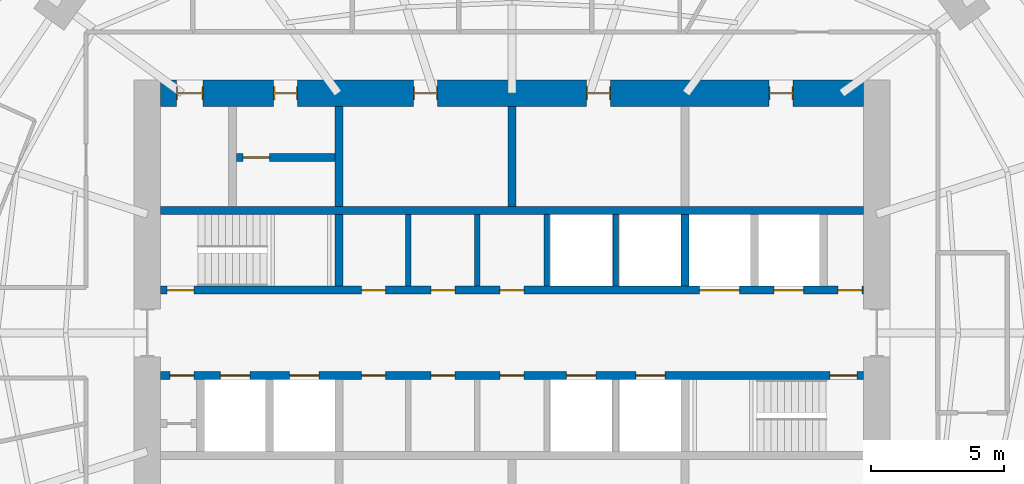
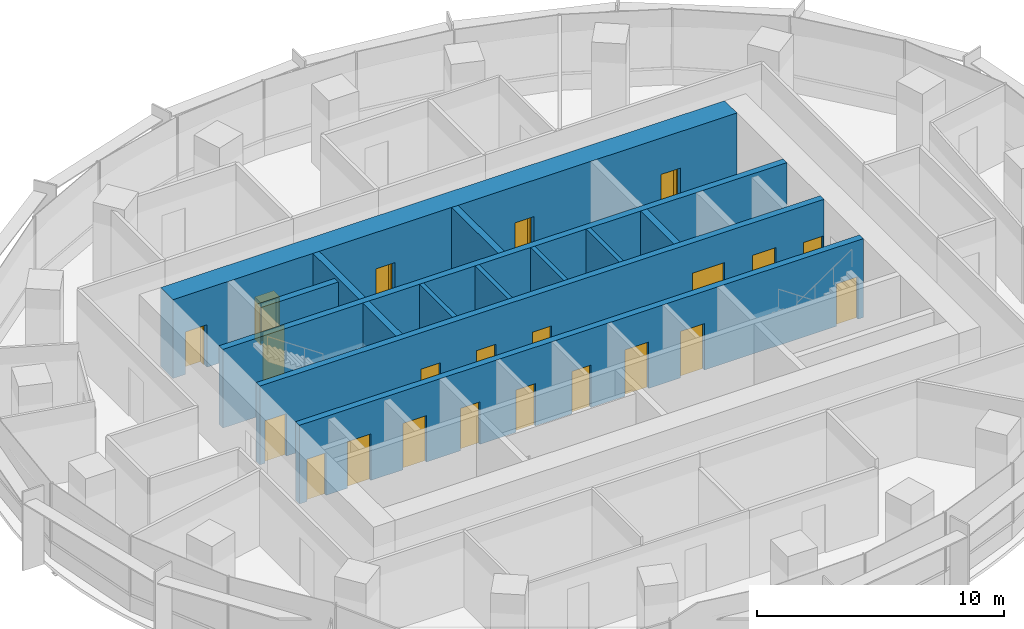
# One storey, part 11 of 14: 22 doors, 13 walls, 22 openings.
"""IFC4 building model written with IfcOpenShell, lengths in metres."""

from ifc_helpers import new_model, si_unit, direction, frame, frame_2d, origin, place, context, subcontext, project, spatial, rectangle, extrude, material, layer, layer_set, type_object, element, fill, save


model = new_model("IFC4")

# Units and contexts
model_context = context("Model", 3, precision=1e-05, world=origin(), true_north=direction((0.0, 1.0)))
body_context = subcontext(model_context, "Body", "Model", "MODEL_VIEW")
ifc_project = project(units=[si_unit("LENGTHUNIT", "METRE"), si_unit("AREAUNIT", "SQUARE_METRE"), si_unit("VOLUMEUNIT", "CUBIC_METRE"), si_unit("PLANEANGLEUNIT", "RADIAN"), si_unit("MASSUNIT", "GRAM", prefix="KILO")], contexts=[model_context])

# Site, building, storey
site_placement = place(None, origin())
site = spatial("IfcSite", under=ifc_project, at=site_placement, CompositionType="ELEMENT")
building_placement = place(site_placement, origin())
building = spatial("IfcBuilding", under=site, at=building_placement, Name="Marramba Exchange Tower", CompositionType="ELEMENT")
storey_placement = place(building_placement, frame((0.0, 0.0, 203.300048828125)))
storey = spatial("IfcBuildingStorey", under=building, at=storey_placement, Name="L49", CompositionType="ELEMENT", Elevation=203.300048828125)

# Walls
ifc_material_1 = material(Name="Concrete N50", Category="concrete")
ifc_layer_1 = layer(ifc_material_1, 0.199951171875)
ifc_layer_set_1 = layer_set([ifc_layer_1], Name="Core shaft wall 200")
wall_type_1 = type_object("IfcWallType", Name="Core shaft wall 200", PredefinedType="SHEAR", material=ifc_layer_set_1)
for number, where, z_axis, x_axis, name in (
    (1, (-3.89990234375, 1.75, 0.0), (0.0, 0.0, 1.0), (0.0, 1.0, 0.0), "Core wall SHN1 L49"),
    (2, (-1.300048828125, 1.75, 0.0), (0.0, 0.0, 1.0), (0.0, 1.0, 0.0), "Core wall SHN2 L49"),
    (3, (1.300048828125, 1.75, 0.0), (0.0, 0.0, 1.0), (0.0, 1.0, 0.0), "Core wall SHN3 L49"),
    (4, (3.89990234375, 1.75, 0.0), (0.0, 0.0, 1.0), (0.0, 1.0, 0.0), "Core wall SHN4 L49"),
):
    element("IfcWall", number, at=place(storey_placement, frame(where, z_axis=z_axis, x_axis=x_axis)), inside=storey, type_object=wall_type_1, Name=name, PredefinedType="SHEAR", context=body_context, shape_type="SweptSolid", body=[
        extrude(rectangle(XDim=2.699951171875, YDim=0.199951171875, at=frame_2d((1.35009765625, 0.0))), origin(), (0.0, 0.0, 1.0), 3.89990234375),
    ])

# Wall, openings, doors
ifc_layer_2 = layer(ifc_material_1, 1.0)
ifc_layer_set_2 = layer_set([ifc_layer_2], Name="Core wall 1000")
wall_type_2 = type_object("IfcWallType", Name="Core wall 1000", PredefinedType="SHEAR", material=ifc_layer_set_2)
wall_1_placement = place(storey_placement, frame((13.199951171875, 9.0, 0.0), z_axis=(0.0, 0.0, 1.0), x_axis=(-1.0, 0.0, 0.0)))
wall_1 = element("IfcWall", 5, at=wall_1_placement, inside=storey, type_object=wall_type_2, Name="Core wall N L49", PredefinedType="SHEAR", context=body_context, shape_type="SweptSolid", body=[
    extrude(rectangle(XDim=26.39990234375, YDim=1.0, at=frame_2d((13.199951171875, 0.0))), origin(), (0.0, 0.0, 1.0), 3.89990234375),
])
opening_1_placement = place(wall_1_placement, frame((2.64990234375, 0.0, 0.0)))
opening_1 = element("IfcOpeningElement", 6, at=opening_1_placement, cuts=wall_1, Name="Opening D5", PredefinedType="OPENING", context=body_context, shape_type="SweptSolid", body=[
    extrude(rectangle(XDim=0.89990234375, YDim=2.10009765625, at=frame_2d((0.449951171875, 1.050048828125))), frame((0.0, 0.510009765625, 0.0), z_axis=(0.0, -1.0, 0.0), x_axis=(1.0, 0.0, 0.0)), (0.0, 0.0, 1.0), 1.02001953125),
])
opening_2_placement = place(wall_1_placement, frame((9.5, 0.0, 0.0)))
opening_2 = element("IfcOpeningElement", 7, at=opening_2_placement, cuts=wall_1, Name="Opening D3", PredefinedType="OPENING", context=body_context, shape_type="SweptSolid", body=[
    extrude(rectangle(XDim=0.89990234375, YDim=2.10009765625, at=frame_2d((0.449951171875, 1.050048828125))), frame((0.0, 0.510009765625, 0.0), z_axis=(0.0, -1.0, 0.0), x_axis=(1.0, 0.0, 0.0)), (0.0, 0.0, 1.0), 1.02001953125),
])
opening_3_placement = place(wall_1_placement, frame((16.0, 0.0, 0.0)))
opening_3 = element("IfcOpeningElement", 8, at=opening_3_placement, cuts=wall_1, Name="Opening D3", PredefinedType="OPENING", context=body_context, shape_type="SweptSolid", body=[
    extrude(rectangle(XDim=0.89990234375, YDim=2.10009765625, at=frame_2d((0.449951171875, 1.050048828125))), frame((0.0, 0.510009765625, 0.0), z_axis=(0.0, -1.0, 0.0), x_axis=(1.0, 0.0, 0.0)), (0.0, 0.0, 1.0), 1.02001953125),
])
opening_4_placement = place(wall_1_placement, frame((21.25, 0.0, 0.0)))
opening_4 = element("IfcOpeningElement", 9, at=opening_4_placement, cuts=wall_1, Name="Opening D5", PredefinedType="OPENING", context=body_context, shape_type="SweptSolid", body=[
    extrude(rectangle(XDim=0.89990234375, YDim=2.10009765625, at=frame_2d((0.449951171875, 1.050048828125))), frame((0.0, 0.510009765625, 0.0), z_axis=(0.0, -1.0, 0.0), x_axis=(1.0, 0.0, 0.0)), (0.0, 0.0, 1.0), 1.02001953125),
])
opening_5_placement = place(wall_1_placement, frame((24.800048828125, 0.0, 0.0)))
opening_5 = element("IfcOpeningElement", 10, at=opening_5_placement, cuts=wall_1, Name="Opening D4", PredefinedType="OPENING", context=body_context, shape_type="SweptSolid", body=[
    extrude(rectangle(XDim=1.0, YDim=2.10009765625, at=frame_2d((0.5, 1.050048828125))), frame((0.0, 0.510009765625, 0.0), z_axis=(0.0, -1.0, 0.0), x_axis=(1.0, 0.0, 0.0)), (0.0, 0.0, 1.0), 1.02001953125),
])
ifc_material_2 = material(Name="Steel-framed door", Category="steel")
door_type_1 = type_object("IfcDoorType", Name="Accessible toilet door 1000x2100", OperationType="SINGLE_SWING_LEFT", PredefinedType="DOOR", material=ifc_material_2)
door_1_placement = place(opening_5_placement, origin())
door_1 = element("IfcDoor", 11, at=door_1_placement, inside=storey, type_object=door_type_1, Name="D4 awc L49", OperationType="SINGLE_SWING_RIGHT", OverallHeight=2.10009765625, OverallWidth=1.0, PredefinedType="DOOR", context=body_context, shape_type="SweptSolid", body=[
    extrude(rectangle(XDim=0.919921875, YDim=2.06005859375, at=frame_2d((0.5, 1.030029296875))), frame((0.0, 0.02490234375, 0.0), z_axis=(0.0, -1.0, 0.0), x_axis=(1.0, 0.0, 0.0)), (0.0, 0.0, 1.0), 0.050048828125),
    extrude(rectangle(XDim=0.04, YDim=2.10009765625, at=frame_2d((0.02001953125, 1.050048828125))), frame((0.0, 0.25, 0.0), z_axis=(0.0, -1.0, 0.0), x_axis=(1.0, 0.0, 0.0)), (0.0, 0.0, 1.0), 0.5),
    extrude(rectangle(XDim=0.04, YDim=2.10009765625, at=frame_2d((0.97998046875, 1.050048828125))), frame((0.0, 0.25, 0.0), z_axis=(0.0, -1.0, 0.0), x_axis=(1.0, 0.0, 0.0)), (0.0, 0.0, 1.0), 0.5),
    extrude(rectangle(XDim=0.919921875, YDim=0.04, at=frame_2d((0.5, 2.080078125))), frame((0.0, 0.25, 0.0), z_axis=(0.0, -1.0, 0.0), x_axis=(1.0, 0.0, 0.0)), (0.0, 0.0, 1.0), 0.5),
])
fill(opening_5, door_1)
door_type_2 = type_object("IfcDoorType", Name="Service door 900x2100", OperationType="SINGLE_SWING_LEFT", PredefinedType="DOOR", material=ifc_material_2)
door_2_placement = place(opening_1_placement, origin())
door_2 = element("IfcDoor", 12, at=door_2_placement, inside=storey, type_object=door_type_2, Name="D5 comms L49", OperationType="SINGLE_SWING_LEFT", OverallHeight=2.10009765625, OverallWidth=0.89990234375, PredefinedType="DOOR", context=body_context, shape_type="SweptSolid", body=[
    extrude(rectangle(XDim=0.81982421875, YDim=2.06005859375, at=frame_2d((0.449951171875, 1.030029296875))), frame((0.0, 0.02490234375, 0.0), z_axis=(0.0, -1.0, 0.0), x_axis=(1.0, 0.0, 0.0)), (0.0, 0.0, 1.0), 0.050048828125),
    extrude(rectangle(XDim=0.04, YDim=2.10009765625, at=frame_2d((0.02001953125, 1.050048828125))), frame((0.0, 0.25, 0.0), z_axis=(0.0, -1.0, 0.0), x_axis=(1.0, 0.0, 0.0)), (0.0, 0.0, 1.0), 0.5),
    extrude(rectangle(XDim=0.04, YDim=2.10009765625, at=frame_2d((0.8798828125, 1.050048828125))), frame((0.0, 0.25, 0.0), z_axis=(0.0, -1.0, 0.0), x_axis=(1.0, 0.0, 0.0)), (0.0, 0.0, 1.0), 0.5),
    extrude(rectangle(XDim=0.81982421875, YDim=0.04, at=frame_2d((0.449951171875, 2.080078125))), frame((0.0, 0.25, 0.0), z_axis=(0.0, -1.0, 0.0), x_axis=(1.0, 0.0, 0.0)), (0.0, 0.0, 1.0), 0.5),
])
fill(opening_1, door_2)
door_3_placement = place(opening_4_placement, origin())
door_3 = element("IfcDoor", 13, at=door_3_placement, inside=storey, type_object=door_type_2, Name="D5 cleaner L49", OperationType="SINGLE_SWING_RIGHT", OverallHeight=2.10009765625, OverallWidth=0.89990234375, PredefinedType="DOOR", context=body_context, shape_type="SweptSolid", body=[
    extrude(rectangle(XDim=0.81982421875, YDim=2.06005859375, at=frame_2d((0.449951171875, 1.030029296875))), frame((0.0, 0.02490234375, 0.0), z_axis=(0.0, -1.0, 0.0), x_axis=(1.0, 0.0, 0.0)), (0.0, 0.0, 1.0), 0.050048828125),
    extrude(rectangle(XDim=0.04, YDim=2.10009765625, at=frame_2d((0.02001953125, 1.050048828125))), frame((0.0, 0.25, 0.0), z_axis=(0.0, -1.0, 0.0), x_axis=(1.0, 0.0, 0.0)), (0.0, 0.0, 1.0), 0.5),
    extrude(rectangle(XDim=0.04, YDim=2.10009765625, at=frame_2d((0.8798828125, 1.050048828125))), frame((0.0, 0.25, 0.0), z_axis=(0.0, -1.0, 0.0), x_axis=(1.0, 0.0, 0.0)), (0.0, 0.0, 1.0), 0.5),
    extrude(rectangle(XDim=0.81982421875, YDim=0.04, at=frame_2d((0.449951171875, 2.080078125))), frame((0.0, 0.25, 0.0), z_axis=(0.0, -1.0, 0.0), x_axis=(1.0, 0.0, 0.0)), (0.0, 0.0, 1.0), 0.5),
])
fill(opening_4, door_3)
door_type_3 = type_object("IfcDoorType", Name="Toilet door 900x2100", OperationType="SINGLE_SWING_LEFT", PredefinedType="DOOR", material=ifc_material_2)
door_4_placement = place(opening_2_placement, origin())
door_4 = element("IfcDoor", 14, at=door_4_placement, inside=storey, type_object=door_type_3, Name="D3 wc-f L49", OperationType="SINGLE_SWING_RIGHT", OverallHeight=2.10009765625, OverallWidth=0.89990234375, PredefinedType="DOOR", context=body_context, shape_type="SweptSolid", body=[
    extrude(rectangle(XDim=0.81982421875, YDim=2.06005859375, at=frame_2d((0.449951171875, 1.030029296875))), frame((0.0, 0.02490234375, 0.0), z_axis=(0.0, -1.0, 0.0), x_axis=(1.0, 0.0, 0.0)), (0.0, 0.0, 1.0), 0.050048828125),
    extrude(rectangle(XDim=0.04, YDim=2.10009765625, at=frame_2d((0.02001953125, 1.050048828125))), frame((0.0, 0.25, 0.0), z_axis=(0.0, -1.0, 0.0), x_axis=(1.0, 0.0, 0.0)), (0.0, 0.0, 1.0), 0.5),
    extrude(rectangle(XDim=0.04, YDim=2.10009765625, at=frame_2d((0.8798828125, 1.050048828125))), frame((0.0, 0.25, 0.0), z_axis=(0.0, -1.0, 0.0), x_axis=(1.0, 0.0, 0.0)), (0.0, 0.0, 1.0), 0.5),
    extrude(rectangle(XDim=0.81982421875, YDim=0.04, at=frame_2d((0.449951171875, 2.080078125))), frame((0.0, 0.25, 0.0), z_axis=(0.0, -1.0, 0.0), x_axis=(1.0, 0.0, 0.0)), (0.0, 0.0, 1.0), 0.5),
])
fill(opening_2, door_4)
door_5_placement = place(opening_3_placement, origin())
door_5 = element("IfcDoor", 15, at=door_5_placement, inside=storey, type_object=door_type_3, Name="D3 wc-m L49", OperationType="SINGLE_SWING_RIGHT", OverallHeight=2.10009765625, OverallWidth=0.89990234375, PredefinedType="DOOR", context=body_context, shape_type="SweptSolid", body=[
    extrude(rectangle(XDim=0.81982421875, YDim=2.06005859375, at=frame_2d((0.449951171875, 1.030029296875))), frame((0.0, 0.02490234375, 0.0), z_axis=(0.0, -1.0, 0.0), x_axis=(1.0, 0.0, 0.0)), (0.0, 0.0, 1.0), 0.050048828125),
    extrude(rectangle(XDim=0.04, YDim=2.10009765625, at=frame_2d((0.02001953125, 1.050048828125))), frame((0.0, 0.25, 0.0), z_axis=(0.0, -1.0, 0.0), x_axis=(1.0, 0.0, 0.0)), (0.0, 0.0, 1.0), 0.5),
    extrude(rectangle(XDim=0.04, YDim=2.10009765625, at=frame_2d((0.8798828125, 1.050048828125))), frame((0.0, 0.25, 0.0), z_axis=(0.0, -1.0, 0.0), x_axis=(1.0, 0.0, 0.0)), (0.0, 0.0, 1.0), 0.5),
    extrude(rectangle(XDim=0.81982421875, YDim=0.04, at=frame_2d((0.449951171875, 2.080078125))), frame((0.0, 0.25, 0.0), z_axis=(0.0, -1.0, 0.0), x_axis=(1.0, 0.0, 0.0)), (0.0, 0.0, 1.0), 0.5),
])
fill(opening_3, door_5)

ifc_layer_3 = layer(ifc_material_1, 0.300048828125)
ifc_layer_set_3 = layer_set([ifc_layer_3], Name="Core wall 300")
wall_type_3 = type_object("IfcWallType", Name="Core wall 300", PredefinedType="SHEAR", material=ifc_layer_set_3)
wall_2_placement = place(storey_placement, frame((-13.199951171875, 1.60009765625, 0.0), z_axis=(0.0, 0.0, 1.0), x_axis=(1.0, 0.0, 0.0)))
wall_2 = element("IfcWall", 16, at=wall_2_placement, inside=storey, type_object=wall_type_3, Name="Core wall LN L49", PredefinedType="SHEAR", context=body_context, shape_type="SweptSolid", body=[
    extrude(rectangle(XDim=26.39990234375, YDim=0.300048828125, at=frame_2d((13.199951171875, 0.0))), origin(), (0.0, 0.0, 1.0), 3.89990234375),
])
opening_6_placement = place(wall_2_placement, frame((0.25, 0.0, 0.0)))
opening_6 = element("IfcOpeningElement", 17, at=opening_6_placement, cuts=wall_2, Name="Opening D2", PredefinedType="OPENING", context=body_context, shape_type="SweptSolid", body=[
    extrude(rectangle(XDim=1.0, YDim=2.10009765625, at=frame_2d((0.5, 1.050048828125))), frame((0.0, 0.159912109375, 0.0), z_axis=(0.0, -1.0, 0.0), x_axis=(1.0, 0.0, 0.0)), (0.0, 0.0, 1.0), 0.320068359375),
])
opening_7_placement = place(wall_2_placement, frame((23.050048828125, 0.0, 0.0)))
opening_7 = element("IfcOpeningElement", 18, at=opening_7_placement, cuts=wall_2, Name="Opening LD1", PredefinedType="OPENING", context=body_context, shape_type="SweptSolid", body=[
    extrude(rectangle(XDim=1.10009765625, YDim=2.300048828125, at=frame_2d((0.550048828125, 1.14990234375))), frame((0.0, 0.159912109375, 0.0), z_axis=(0.0, -1.0, 0.0), x_axis=(1.0, 0.0, 0.0)), (0.0, 0.0, 1.0), 0.320068359375),
])
opening_8_placement = place(wall_2_placement, frame((20.25, 0.0, 0.0)))
opening_8 = element("IfcOpeningElement", 19, at=opening_8_placement, cuts=wall_2, Name="Opening LD3", PredefinedType="OPENING", context=body_context, shape_type="SweptSolid", body=[
    extrude(rectangle(XDim=1.5, YDim=2.39990234375, at=frame_2d((0.75, 1.199951171875))), frame((0.0, 0.159912109375, 0.0), z_axis=(0.0, -1.0, 0.0), x_axis=(1.0, 0.0, 0.0)), (0.0, 0.0, 1.0), 0.320068359375),
])
opening_9_placement = place(wall_2_placement, frame((7.550048828125, 0.0, 0.0)))
opening_9 = element("IfcOpeningElement", 20, at=opening_9_placement, cuts=wall_2, Name="Opening D5", PredefinedType="OPENING", context=body_context, shape_type="SweptSolid", body=[
    extrude(rectangle(XDim=0.89990234375, YDim=2.10009765625, at=frame_2d((0.449951171875, 1.050048828125))), frame((0.0, 0.159912109375, 0.0), z_axis=(0.0, -1.0, 0.0), x_axis=(1.0, 0.0, 0.0)), (0.0, 0.0, 1.0), 0.320068359375),
])
opening_10_placement = place(wall_2_placement, frame((10.14990234375, 0.0, 0.0)))
opening_10 = element("IfcOpeningElement", 21, at=opening_10_placement, cuts=wall_2, Name="Opening D5", PredefinedType="OPENING", context=body_context, shape_type="SweptSolid", body=[
    extrude(rectangle(XDim=0.89990234375, YDim=2.10009765625, at=frame_2d((0.449951171875, 1.050048828125))), frame((0.0, 0.159912109375, 0.0), z_axis=(0.0, -1.0, 0.0), x_axis=(1.0, 0.0, 0.0)), (0.0, 0.0, 1.0), 0.320068359375),
])
opening_11_placement = place(wall_2_placement, frame((12.75, 0.0, 0.0)))
opening_11 = element("IfcOpeningElement", 22, at=opening_11_placement, cuts=wall_2, Name="Opening D5", PredefinedType="OPENING", context=body_context, shape_type="SweptSolid", body=[
    extrude(rectangle(XDim=0.89990234375, YDim=2.10009765625, at=frame_2d((0.449951171875, 1.050048828125))), frame((0.0, 0.159912109375, 0.0), z_axis=(0.0, -1.0, 0.0), x_axis=(1.0, 0.0, 0.0)), (0.0, 0.0, 1.0), 0.320068359375),
])
opening_12_placement = place(wall_2_placement, frame((25.449951171875, 0.0, 0.0)))
opening_12 = element("IfcOpeningElement", 23, at=opening_12_placement, cuts=wall_2, Name="Opening D5", PredefinedType="OPENING", context=body_context, shape_type="SweptSolid", body=[
    extrude(rectangle(XDim=0.89990234375, YDim=2.10009765625, at=frame_2d((0.449951171875, 1.050048828125))), frame((0.0, 0.159912109375, 0.0), z_axis=(0.0, -1.0, 0.0), x_axis=(1.0, 0.0, 0.0)), (0.0, 0.0, 1.0), 0.320068359375),
])
door_type_4 = type_object("IfcDoorType", Name="Goods lift landing door 1500x2400", OperationType="SLIDING_TO_LEFT", PredefinedType="DOOR", material=ifc_material_2)
door_6_placement = place(opening_8_placement, origin())
door_6 = element("IfcDoor", 24, at=door_6_placement, inside=storey, type_object=door_type_4, Name="GL1 landing door L49", OperationType="SLIDING_TO_LEFT", OverallHeight=2.39990234375, OverallWidth=1.5, PredefinedType="DOOR", context=body_context, shape_type="SweptSolid", body=[
    extrude(rectangle(XDim=1.5, YDim=2.39990234375, at=frame_2d((0.75, 1.199951171875))), frame((0.0, 0.02490234375, 0.0), z_axis=(0.0, -1.0, 0.0), x_axis=(1.0, 0.0, 0.0)), (0.0, 0.0, 1.0), 0.050048828125),
])
fill(opening_8, door_6)
door_type_5 = type_object("IfcDoorType", Name="Lift landing door 1100x2300", OperationType="SLIDING_TO_LEFT", PredefinedType="DOOR", material=ifc_material_2)
door_7_placement = place(opening_7_placement, origin())
door_7 = element("IfcDoor", 25, at=door_7_placement, inside=storey, type_object=door_type_5, Name="LC3 landing door L49", OperationType="SLIDING_TO_LEFT", OverallHeight=2.300048828125, OverallWidth=1.10009765625, PredefinedType="DOOR", context=body_context, shape_type="SweptSolid", body=[
    extrude(rectangle(XDim=1.10009765625, YDim=2.300048828125, at=frame_2d((0.550048828125, 1.14990234375))), frame((0.0, 0.02490234375, 0.0), z_axis=(0.0, -1.0, 0.0), x_axis=(1.0, 0.0, 0.0)), (0.0, 0.0, 1.0), 0.050048828125),
])
fill(opening_7, door_7)
door_8_placement = place(opening_9_placement, origin())
door_8 = element("IfcDoor", 26, at=door_8_placement, inside=storey, type_object=door_type_2, Name="D5 stationery store L49", OperationType="SINGLE_SWING_RIGHT", OverallHeight=2.10009765625, OverallWidth=0.89990234375, PredefinedType="DOOR", context=body_context, shape_type="SweptSolid", body=[
    extrude(rectangle(XDim=0.89990234375, YDim=2.10009765625, at=frame_2d((0.449951171875, 1.050048828125))), frame((0.0, 0.02490234375, 0.0), z_axis=(0.0, -1.0, 0.0), x_axis=(1.0, 0.0, 0.0)), (0.0, 0.0, 1.0), 0.050048828125),
])
fill(opening_9, door_8)
door_9_placement = place(opening_10_placement, origin())
door_9 = element("IfcDoor", 27, at=door_9_placement, inside=storey, type_object=door_type_2, Name="D5 switch room L49", OperationType="SINGLE_SWING_RIGHT", OverallHeight=2.10009765625, OverallWidth=0.89990234375, PredefinedType="DOOR", context=body_context, shape_type="SweptSolid", body=[
    extrude(rectangle(XDim=0.89990234375, YDim=2.10009765625, at=frame_2d((0.449951171875, 1.050048828125))), frame((0.0, 0.02490234375, 0.0), z_axis=(0.0, -1.0, 0.0), x_axis=(1.0, 0.0, 0.0)), (0.0, 0.0, 1.0), 0.050048828125),
])
fill(opening_10, door_9)
door_10_placement = place(opening_11_placement, origin())
door_10 = element("IfcDoor", 28, at=door_10_placement, inside=storey, type_object=door_type_2, Name="D5 cleaner store L49", OperationType="SINGLE_SWING_RIGHT", OverallHeight=2.10009765625, OverallWidth=0.89990234375, PredefinedType="DOOR", context=body_context, shape_type="SweptSolid", body=[
    extrude(rectangle(XDim=0.89990234375, YDim=2.10009765625, at=frame_2d((0.449951171875, 1.050048828125))), frame((0.0, 0.02490234375, 0.0), z_axis=(0.0, -1.0, 0.0), x_axis=(1.0, 0.0, 0.0)), (0.0, 0.0, 1.0), 0.050048828125),
])
fill(opening_11, door_10)
door_11_placement = place(opening_12_placement, origin())
door_11 = element("IfcDoor", 29, at=door_11_placement, inside=storey, type_object=door_type_2, Name="D5 riser L49", OperationType="SINGLE_SWING_RIGHT", OverallHeight=2.10009765625, OverallWidth=0.89990234375, PredefinedType="DOOR", context=body_context, shape_type="SweptSolid", body=[
    extrude(rectangle(XDim=0.89990234375, YDim=2.10009765625, at=frame_2d((0.449951171875, 1.050048828125))), frame((0.0, 0.02490234375, 0.0), z_axis=(0.0, -1.0, 0.0), x_axis=(1.0, 0.0, 0.0)), (0.0, 0.0, 1.0), 0.050048828125),
])
fill(opening_12, door_11)
door_type_6 = type_object("IfcDoorType", Name="Stair door 1000x2100", OperationType="SINGLE_SWING_LEFT", PredefinedType="DOOR", material=ifc_material_2)
door_12_placement = place(opening_6_placement, origin())
door_12 = element("IfcDoor", 30, at=door_12_placement, inside=storey, type_object=door_type_6, Name="D2 stair ST1 L49", OperationType="SINGLE_SWING_LEFT", OverallHeight=2.10009765625, OverallWidth=1.0, PredefinedType="DOOR", context=body_context, shape_type="SweptSolid", body=[
    extrude(rectangle(XDim=1.0, YDim=2.10009765625, at=frame_2d((0.5, 1.050048828125))), frame((0.0, 0.02490234375, 0.0), z_axis=(0.0, -1.0, 0.0), x_axis=(1.0, 0.0, 0.0)), (0.0, 0.0, 1.0), 0.050048828125),
])
fill(opening_6, door_12)

wall_3_placement = place(storey_placement, frame((-13.199951171875, -1.60009765625, 0.0), z_axis=(0.0, 0.0, 1.0), x_axis=(1.0, 0.0, 0.0)))
wall_3 = element("IfcWall", 31, at=wall_3_placement, inside=storey, type_object=wall_type_3, Name="Core wall LS L49", PredefinedType="SHEAR", context=body_context, shape_type="SweptSolid", body=[
    extrude(rectangle(XDim=26.39990234375, YDim=0.300048828125, at=frame_2d((13.199951171875, 0.0))), origin(), (0.0, 0.0, 1.0), 3.89990234375),
])
opening_13_placement = place(wall_3_placement, frame((25.14990234375, 0.0, 0.0)))
opening_13 = element("IfcOpeningElement", 32, at=opening_13_placement, cuts=wall_3, Name="Opening D2", PredefinedType="OPENING", context=body_context, shape_type="SweptSolid", body=[
    extrude(rectangle(XDim=1.0, YDim=2.10009765625, at=frame_2d((0.5, 1.050048828125))), frame((0.0, 0.159912109375, 0.0), z_axis=(0.0, -1.0, 0.0), x_axis=(1.0, 0.0, 0.0)), (0.0, 0.0, 1.0), 0.320068359375),
])
opening_14_placement = place(wall_3_placement, frame((7.550048828125, 0.0, 0.0)))
opening_14 = element("IfcOpeningElement", 33, at=opening_14_placement, cuts=wall_3, Name="Opening D5", PredefinedType="OPENING", context=body_context, shape_type="SweptSolid", body=[
    extrude(rectangle(XDim=0.89990234375, YDim=2.10009765625, at=frame_2d((0.449951171875, 1.050048828125))), frame((0.0, 0.159912109375, 0.0), z_axis=(0.0, -1.0, 0.0), x_axis=(1.0, 0.0, 0.0)), (0.0, 0.0, 1.0), 0.320068359375),
])
opening_15_placement = place(wall_3_placement, frame((10.14990234375, 0.0, 0.0)))
opening_15 = element("IfcOpeningElement", 34, at=opening_15_placement, cuts=wall_3, Name="Opening D5", PredefinedType="OPENING", context=body_context, shape_type="SweptSolid", body=[
    extrude(rectangle(XDim=0.89990234375, YDim=2.10009765625, at=frame_2d((0.449951171875, 1.050048828125))), frame((0.0, 0.159912109375, 0.0), z_axis=(0.0, -1.0, 0.0), x_axis=(1.0, 0.0, 0.0)), (0.0, 0.0, 1.0), 0.320068359375),
])
opening_16_placement = place(wall_3_placement, frame((12.75, 0.0, 0.0)))
opening_16 = element("IfcOpeningElement", 35, at=opening_16_placement, cuts=wall_3, Name="Opening D5", PredefinedType="OPENING", context=body_context, shape_type="SweptSolid", body=[
    extrude(rectangle(XDim=0.89990234375, YDim=2.10009765625, at=frame_2d((0.449951171875, 1.050048828125))), frame((0.0, 0.159912109375, 0.0), z_axis=(0.0, -1.0, 0.0), x_axis=(1.0, 0.0, 0.0)), (0.0, 0.0, 1.0), 0.320068359375),
])
opening_17_placement = place(wall_3_placement, frame((15.25, 0.0, 0.0)))
opening_17 = element("IfcOpeningElement", 36, at=opening_17_placement, cuts=wall_3, Name="Opening LD2", PredefinedType="OPENING", context=body_context, shape_type="SweptSolid", body=[
    extrude(rectangle(XDim=1.10009765625, YDim=2.300048828125, at=frame_2d((0.550048828125, 1.14990234375))), frame((0.0, 0.159912109375, 0.0), z_axis=(0.0, -1.0, 0.0), x_axis=(1.0, 0.0, 0.0)), (0.0, 0.0, 1.0), 0.320068359375),
])
opening_18_placement = place(wall_3_placement, frame((17.85009765625, 0.0, 0.0)))
opening_18 = element("IfcOpeningElement", 37, at=opening_18_placement, cuts=wall_3, Name="Opening LD2", PredefinedType="OPENING", context=body_context, shape_type="SweptSolid", body=[
    extrude(rectangle(XDim=1.10009765625, YDim=2.300048828125, at=frame_2d((0.550048828125, 1.14990234375))), frame((0.0, 0.159912109375, 0.0), z_axis=(0.0, -1.0, 0.0), x_axis=(1.0, 0.0, 0.0)), (0.0, 0.0, 1.0), 0.320068359375),
])
opening_19_placement = place(wall_3_placement, frame((4.85009765625, 0.0, 0.0)))
opening_19 = element("IfcOpeningElement", 38, at=opening_19_placement, cuts=wall_3, Name="Opening LD1", PredefinedType="OPENING", context=body_context, shape_type="SweptSolid", body=[
    extrude(rectangle(XDim=1.10009765625, YDim=2.300048828125, at=frame_2d((0.550048828125, 1.14990234375))), frame((0.0, 0.159912109375, 0.0), z_axis=(0.0, -1.0, 0.0), x_axis=(1.0, 0.0, 0.0)), (0.0, 0.0, 1.0), 0.320068359375),
])
opening_20_placement = place(wall_3_placement, frame((2.25, 0.0, 0.0)))
opening_20 = element("IfcOpeningElement", 39, at=opening_20_placement, cuts=wall_3, Name="Opening LD1", PredefinedType="OPENING", context=body_context, shape_type="SweptSolid", body=[
    extrude(rectangle(XDim=1.10009765625, YDim=2.300048828125, at=frame_2d((0.550048828125, 1.14990234375))), frame((0.0, 0.159912109375, 0.0), z_axis=(0.0, -1.0, 0.0), x_axis=(1.0, 0.0, 0.0)), (0.0, 0.0, 1.0), 0.320068359375),
])
opening_21_placement = place(wall_3_placement, frame((0.35009765625, 0.0, 0.0)))
opening_21 = element("IfcOpeningElement", 40, at=opening_21_placement, cuts=wall_3, Name="Opening D5", PredefinedType="OPENING", context=body_context, shape_type="SweptSolid", body=[
    extrude(rectangle(XDim=0.89990234375, YDim=2.10009765625, at=frame_2d((0.449951171875, 1.050048828125))), frame((0.0, 0.159912109375, 0.0), z_axis=(0.0, -1.0, 0.0), x_axis=(1.0, 0.0, 0.0)), (0.0, 0.0, 1.0), 0.320068359375),
])
door_type_7 = type_object("IfcDoorType", Name="Emergency lift landing door 1100x2300", OperationType="SLIDING_TO_LEFT", PredefinedType="DOOR", material=ifc_material_2)
door_13_placement = place(opening_17_placement, frame((1.10009765625, 0.0, 0.0), z_axis=(0.0, 0.0, 1.0), x_axis=(-1.0, 0.0, 0.0)))
door_13 = element("IfcDoor", 41, at=door_13_placement, inside=storey, type_object=door_type_7, Name="FL1 landing door L49", OperationType="SLIDING_TO_RIGHT", OverallHeight=2.300048828125, OverallWidth=1.10009765625, PredefinedType="DOOR", context=body_context, shape_type="SweptSolid", body=[
    extrude(rectangle(XDim=1.10009765625, YDim=2.300048828125, at=frame_2d((0.550048828125, 1.14990234375))), frame((0.0, 0.025146484375, 0.0), z_axis=(0.0, -1.0, 0.0), x_axis=(1.0, 0.0, 0.0)), (0.0, 0.0, 1.0), 0.050048828125),
])
fill(opening_17, door_13)
door_14_placement = place(opening_18_placement, frame((1.10009765625, 0.0, 0.0), z_axis=(0.0, 0.0, 1.0), x_axis=(-1.0, 0.0, 0.0)))
door_14 = element("IfcDoor", 42, at=door_14_placement, inside=storey, type_object=door_type_7, Name="FL2 landing door L49", OperationType="SLIDING_TO_LEFT", OverallHeight=2.300048828125, OverallWidth=1.10009765625, PredefinedType="DOOR", context=body_context, shape_type="SweptSolid", body=[
    extrude(rectangle(XDim=1.10009765625, YDim=2.300048828125, at=frame_2d((0.550048828125, 1.14990234375))), frame((0.0, 0.025146484375, 0.0), z_axis=(0.0, -1.0, 0.0), x_axis=(1.0, 0.0, 0.0)), (0.0, 0.0, 1.0), 0.050048828125),
])
fill(opening_18, door_14)
door_15_placement = place(opening_19_placement, frame((1.10009765625, 0.0, 0.0), z_axis=(0.0, 0.0, 1.0), x_axis=(-1.0, 0.0, 0.0)))
door_15 = element("IfcDoor", 43, at=door_15_placement, inside=storey, type_object=door_type_5, Name="LC1 landing door L49", OperationType="SLIDING_TO_LEFT", OverallHeight=2.300048828125, OverallWidth=1.10009765625, PredefinedType="DOOR", context=body_context, shape_type="SweptSolid", body=[
    extrude(rectangle(XDim=1.10009765625, YDim=2.300048828125, at=frame_2d((0.550048828125, 1.14990234375))), frame((0.0, 0.025146484375, 0.0), z_axis=(0.0, -1.0, 0.0), x_axis=(1.0, 0.0, 0.0)), (0.0, 0.0, 1.0), 0.050048828125),
])
fill(opening_19, door_15)
door_16_placement = place(opening_20_placement, frame((1.10009765625, 0.0, 0.0), z_axis=(0.0, 0.0, 1.0), x_axis=(-1.0, 0.0, 0.0)))
door_16 = element("IfcDoor", 44, at=door_16_placement, inside=storey, type_object=door_type_5, Name="LC2 landing door L49", OperationType="SLIDING_TO_LEFT", OverallHeight=2.300048828125, OverallWidth=1.10009765625, PredefinedType="DOOR", context=body_context, shape_type="SweptSolid", body=[
    extrude(rectangle(XDim=1.10009765625, YDim=2.300048828125, at=frame_2d((0.550048828125, 1.14990234375))), frame((0.0, 0.025146484375, 0.0), z_axis=(0.0, -1.0, 0.0), x_axis=(1.0, 0.0, 0.0)), (0.0, 0.0, 1.0), 0.050048828125),
])
fill(opening_20, door_16)
door_17_placement = place(opening_14_placement, frame((0.89990234375, 0.0, 0.0), z_axis=(0.0, 0.0, 1.0), x_axis=(-1.0, 0.0, 0.0)))
door_17 = element("IfcDoor", 45, at=door_17_placement, inside=storey, type_object=door_type_2, Name="D5 general store L49", OperationType="SINGLE_SWING_RIGHT", OverallHeight=2.10009765625, OverallWidth=0.89990234375, PredefinedType="DOOR", context=body_context, shape_type="SweptSolid", body=[
    extrude(rectangle(XDim=0.89990234375, YDim=2.10009765625, at=frame_2d((0.449951171875, 1.050048828125))), frame((0.0, 0.025146484375, 0.0), z_axis=(0.0, -1.0, 0.0), x_axis=(1.0, 0.0, 0.0)), (0.0, 0.0, 1.0), 0.050048828125),
])
fill(opening_14, door_17)
door_18_placement = place(opening_15_placement, frame((0.89990234375, 0.0, 0.0), z_axis=(0.0, 0.0, 1.0), x_axis=(-1.0, 0.0, 0.0)))
door_18 = element("IfcDoor", 46, at=door_18_placement, inside=storey, type_object=door_type_2, Name="D5 linen store n1 L49", OperationType="SINGLE_SWING_RIGHT", OverallHeight=2.10009765625, OverallWidth=0.89990234375, PredefinedType="DOOR", context=body_context, shape_type="SweptSolid", body=[
    extrude(rectangle(XDim=0.89990234375, YDim=2.10009765625, at=frame_2d((0.449951171875, 1.050048828125))), frame((0.0, 0.025146484375, 0.0), z_axis=(0.0, -1.0, 0.0), x_axis=(1.0, 0.0, 0.0)), (0.0, 0.0, 1.0), 0.050048828125),
])
fill(opening_15, door_18)
door_19_placement = place(opening_16_placement, frame((0.89990234375, 0.0, 0.0), z_axis=(0.0, 0.0, 1.0), x_axis=(-1.0, 0.0, 0.0)))
door_19 = element("IfcDoor", 47, at=door_19_placement, inside=storey, type_object=door_type_2, Name="D5 vending room n2 L49", OperationType="SINGLE_SWING_RIGHT", OverallHeight=2.10009765625, OverallWidth=0.89990234375, PredefinedType="DOOR", context=body_context, shape_type="SweptSolid", body=[
    extrude(rectangle(XDim=0.89990234375, YDim=2.10009765625, at=frame_2d((0.449951171875, 1.050048828125))), frame((0.0, 0.025146484375, 0.0), z_axis=(0.0, -1.0, 0.0), x_axis=(1.0, 0.0, 0.0)), (0.0, 0.0, 1.0), 0.050048828125),
])
fill(opening_16, door_19)
door_20_placement = place(opening_21_placement, frame((0.89990234375, 0.0, 0.0), z_axis=(0.0, 0.0, 1.0), x_axis=(-1.0, 0.0, 0.0)))
door_20 = element("IfcDoor", 48, at=door_20_placement, inside=storey, type_object=door_type_2, Name="D5 electrical riser L49", OperationType="SINGLE_SWING_LEFT", OverallHeight=2.10009765625, OverallWidth=0.89990234375, PredefinedType="DOOR", context=body_context, shape_type="SweptSolid", body=[
    extrude(rectangle(XDim=0.89990234375, YDim=2.10009765625, at=frame_2d((0.449951171875, 1.050048828125))), frame((0.0, 0.025146484375, 0.0), z_axis=(0.0, -1.0, 0.0), x_axis=(1.0, 0.0, 0.0)), (0.0, 0.0, 1.0), 0.050048828125),
])
fill(opening_21, door_20)
door_21_placement = place(opening_13_placement, frame((1.0, 0.0, 0.0), z_axis=(0.0, 0.0, 1.0), x_axis=(-1.0, 0.0, 0.0)))
door_21 = element("IfcDoor", 49, at=door_21_placement, inside=storey, type_object=door_type_6, Name="D2 stair ST2 L49", OperationType="SINGLE_SWING_LEFT", OverallHeight=2.10009765625, OverallWidth=1.0, PredefinedType="DOOR", context=body_context, shape_type="SweptSolid", body=[
    extrude(rectangle(XDim=1.0, YDim=2.10009765625, at=frame_2d((0.5, 1.050048828125))), frame((0.0, 0.025146484375, 0.0), z_axis=(0.0, -1.0, 0.0), x_axis=(1.0, 0.0, 0.0)), (0.0, 0.0, 1.0), 0.050048828125),
])
fill(opening_13, door_21)

# Walls
wall_4_placement = place(storey_placement, frame((-13.199951171875, 4.60009765625, 0.0), z_axis=(0.0, 0.0, 1.0), x_axis=(1.0, 0.0, 0.0)))
element("IfcWall", 50, at=wall_4_placement, inside=storey, type_object=wall_type_3, Name="Core wall BN L49", PredefinedType="SHEAR", context=body_context, shape_type="SweptSolid", body=[
    extrude(rectangle(XDim=26.39990234375, YDim=0.300048828125, at=frame_2d((13.199951171875, 0.0))), origin(), (0.0, 0.0, 1.0), 3.89990234375),
])
wall_5_placement = place(storey_placement, frame((-6.5, 1.75, 0.0), z_axis=(0.0, 0.0, 1.0), x_axis=(0.0, 1.0, 0.0)))
element("IfcWall", 51, at=wall_5_placement, inside=storey, type_object=wall_type_3, Name="Core wall X0Na L49", PredefinedType="SHEAR", context=body_context, shape_type="SweptSolid", body=[
    extrude(rectangle(XDim=2.699951171875, YDim=0.300048828125, at=frame_2d((1.35009765625, 0.0))), origin(), (0.0, 0.0, 1.0), 3.89990234375),
])
wall_6_placement = place(storey_placement, frame((-6.5, 4.75, 0.0), z_axis=(0.0, 0.0, 1.0), x_axis=(0.0, 1.0, 0.0)))
element("IfcWall", 52, at=wall_6_placement, inside=storey, type_object=wall_type_3, Name="Core wall X0Nb L49", PredefinedType="SHEAR", context=body_context, shape_type="SweptSolid", body=[
    extrude(rectangle(XDim=3.75, YDim=0.300048828125, at=frame_2d((1.875, 0.0))), origin(), (0.0, 0.0, 1.0), 3.89990234375),
])
wall_7_placement = place(storey_placement, frame((6.5, 1.75, 0.0), z_axis=(0.0, 0.0, 1.0), x_axis=(0.0, 1.0, 0.0)))
element("IfcWall", 53, at=wall_7_placement, inside=storey, type_object=wall_type_3, Name="Core wall X1Na L49", PredefinedType="SHEAR", context=body_context, shape_type="SweptSolid", body=[
    extrude(rectangle(XDim=2.699951171875, YDim=0.300048828125, at=frame_2d((1.35009765625, 0.0))), origin(), (0.0, 0.0, 1.0), 3.89990234375),
])
wall_8_placement = place(storey_placement, frame((0.0, 4.75, 0.0), z_axis=(0.0, 0.0, 1.0), x_axis=(0.0, 1.0, 0.0)))
element("IfcWall", 54, at=wall_8_placement, inside=storey, type_object=wall_type_3, Name="Core wall MN L49", PredefinedType="SHEAR", context=body_context, shape_type="SweptSolid", body=[
    extrude(rectangle(XDim=3.75, YDim=0.300048828125, at=frame_2d((1.875, 0.0))), origin(), (0.0, 0.0, 1.0), 3.89990234375),
])

# Wall, opening, door
ifc_material_3 = material(Name="Plasterboard on steel studs, insulated, unrated", Category="steel")
ifc_layer_4 = layer(ifc_material_3, 0.300048828125)
ifc_layer_set_4 = layer_set([ifc_layer_4], Name="Store partition 300")
wall_type_4 = type_object("IfcWallType", Name="Store partition 300", PredefinedType="PARTITIONING", material=ifc_layer_set_4)
wall_9_placement = place(storey_placement, frame((-10.35009765625, 6.580078125, 0.0), z_axis=(0.0, 0.0, 1.0), x_axis=(1.0, 0.0, 0.0)))
wall_9 = element("IfcWall", 55, at=wall_9_placement, inside=storey, type_object=wall_type_4, Name="Store partition L49 cleaner", PredefinedType="PARTITIONING", context=body_context, shape_type="SweptSolid", body=[
    extrude(rectangle(XDim=3.7001953125, YDim=0.300048828125, at=frame_2d((1.85009765625, 0.0))), origin(), (0.0, 0.0, 1.0), 3.739990234375),
])
opening_22_placement = place(wall_9_placement, frame((0.25, 0.0, 0.0)))
opening_22 = element("IfcOpeningElement", 56, at=opening_22_placement, cuts=wall_9, Name="Opening D9", PredefinedType="OPENING", context=body_context, shape_type="SweptSolid", body=[
    extrude(rectangle(XDim=1.0, YDim=2.39990234375, at=frame_2d((0.5, 1.199951171875))), frame((0.0, 0.159912109375, 0.0), z_axis=(0.0, -1.0, 0.0), x_axis=(1.0, 0.0, 0.0)), (0.0, 0.0, 1.0), 0.320068359375),
])
ifc_material_4 = material(Name="Timber door", Category="wood")
door_type_8 = type_object("IfcDoorType", Name="Room door 1000x2400", OperationType="SINGLE_SWING_LEFT", PredefinedType="DOOR", material=ifc_material_4)
door_22_placement = place(opening_22_placement, frame((1.0, 0.0, 0.0), z_axis=(0.0, 0.0, 1.0), x_axis=(-1.0, 0.0, 0.0)))
door_22 = element("IfcDoor", 57, at=door_22_placement, inside=storey, type_object=door_type_8, Name="D9 cleaning store L49", OperationType="SINGLE_SWING_RIGHT", OverallHeight=2.39990234375, OverallWidth=1.0, PredefinedType="DOOR", context=body_context, shape_type="SweptSolid", body=[
    extrude(rectangle(XDim=1.0, YDim=2.39990234375, at=frame_2d((0.5, 1.199951171875))), frame((0.0, 0.025146484375, 0.0), z_axis=(0.0, -1.0, 0.0), x_axis=(1.0, 0.0, 0.0)), (0.0, 0.0, 1.0), 0.050048828125),
])
fill(opening_22, door_22)

save(model, "model.ifc")
